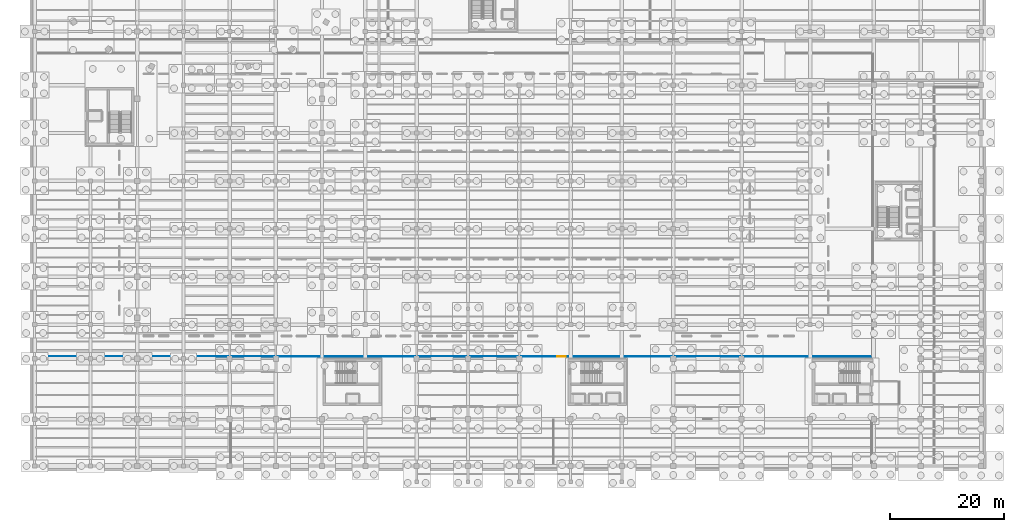
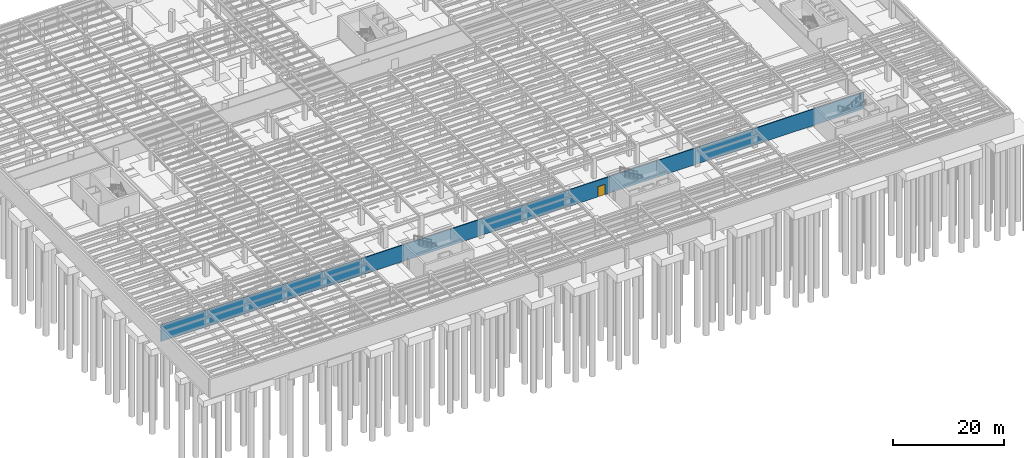
# One storey, part 34 of 49: 1 door, 1 wall, 1 opening.
"""IFC4 building model written with IfcOpenShell, lengths in metres."""

import ifcopenshell
import ifcopenshell.guid

model = None  # the IFC model being written
_history = None  # IfcOwnerHistory: only IFC2X3 demands one
_inside = {}  # id of a spatial element -> (the spatial element, [elements in it])
_under = {}  # id of a project, library or spatial element -> (it, [spatial elements below it])
_declared = {}  # id of a project -> (the project, [libraries it declares])
_typed = {}  # id of a type object -> (the type object, [elements of that type])
_made_of = {}  # id of a material, layer set ... -> (it, [elements and type objects made of it])


def new_model(schema):
    """Start an empty IFC model of exactly this schema.

    Asked for "IFC4X3", IfcOpenShell would pick the latest addendum, in which some entities
    have other attributes; the version numbers below select the first issue.
    IFC2X3 requires an IfcOwnerHistory on every rooted entity: one is made here for all.
    """
    global model, _history
    if schema == "IFC4X3":
        model = ifcopenshell.file(schema_version=(4, 3, 0, 0))
    else:
        model = ifcopenshell.file(schema=schema)
    _inside.clear()
    _under.clear()
    _declared.clear()
    _typed.clear()
    _made_of.clear()
    _history = None
    if model.schema == "IFC2X3":
        org = make("IfcOrganization", Name="unknown")
        user = make(
            "IfcPersonAndOrganization",
            ThePerson=make("IfcPerson", FamilyName="unknown"),
            TheOrganization=org,
        )
        app = make(
            "IfcApplication",
            ApplicationDeveloper=org,
            Version="unknown",
            ApplicationFullName="unknown",
            ApplicationIdentifier="unknown",
        )
        _history = make(
            "IfcOwnerHistory",
            OwningUser=user,
            OwningApplication=app,
            ChangeAction="ADDED",
            CreationDate=0,
        )
    return model


def make(cls, **values):
    """One entity of the class cls with the attributes given. An attribute that is None is left unset."""
    return model.create_entity(
        cls, **{name: value for name, value in values.items() if value is not None}
    )


def rooted(cls, **values):
    """An entity with a GlobalId (a new one), such as an element, a storey or a relation."""
    return make(cls, GlobalId=ifcopenshell.guid.new(), OwnerHistory=_history, **values)


def si_unit(unit_type, name, prefix=None):
    """IfcSIUnit, for example si_unit("LENGTHUNIT", "METRE", prefix="MILLI")."""
    return make("IfcSIUnit", UnitType=unit_type, Prefix=prefix, Name=name)


def assignment(units):
    """IfcUnitAssignment: the units of a project."""
    return None if units is None else make("IfcUnitAssignment", Units=units)


def point(xyz):
    """IfcCartesianPoint."""
    return None if xyz is None else make("IfcCartesianPoint", Coordinates=xyz)


def direction(xyz):
    """IfcDirection."""
    return None if xyz is None else make("IfcDirection", DirectionRatios=xyz)


def frame(location, z_axis=None, x_axis=None):
    """IfcAxis2Placement3D, a coordinate frame: its origin and axes. An axis left out is left unset."""
    return make(
        "IfcAxis2Placement3D",
        Location=point(location),
        Axis=direction(z_axis),
        RefDirection=direction(x_axis),
    )


def frame_2d(location, x_axis=None):
    """IfcAxis2Placement2D, a coordinate frame in the plane: its origin and x axis."""
    return make(
        "IfcAxis2Placement2D", Location=point(location), RefDirection=direction(x_axis)
    )


def origin():
    """The frame at (0, 0, 0) with its axes left unset."""
    return frame((0.0, 0.0, 0.0))


def place(relative_to, where):
    """IfcLocalPlacement: puts the frame where relative to a parent placement (None: the world)."""
    return make(
        "IfcLocalPlacement", PlacementRelTo=relative_to, RelativePlacement=where
    )


def context(
    kind, dimensions, precision=None, world=None, true_north=None, identifier=None
):
    """IfcGeometricRepresentationContext, for example the 3D "Model" context."""
    return make(
        "IfcGeometricRepresentationContext",
        ContextIdentifier=identifier,
        ContextType=kind,
        CoordinateSpaceDimension=dimensions,
        Precision=precision,
        WorldCoordinateSystem=world,
        TrueNorth=true_north,
    )


def subcontext(parent, identifier, kind, view, scale=None):
    """IfcGeometricRepresentationSubContext, for example "Body" below "Model"."""
    return make(
        "IfcGeometricRepresentationSubContext",
        ContextIdentifier=identifier,
        ContextType=kind,
        ParentContext=parent,
        TargetScale=scale,
        TargetView=view,
    )


def project(units=None, contexts=None):
    """IfcProject with its units and contexts."""
    return rooted(
        "IfcProject",
        Name="project",
        RepresentationContexts=contexts,
        UnitsInContext=assignment(units),
    )


def spatial(cls, under=None, at=None, **own):
    """A site, building, storey or space (cls), placed at a placement, below another one or the project."""
    s = rooted(cls, ObjectPlacement=at, **own)
    if under is not None:
        _under.setdefault(under.id(), (under, []))[1].append(s)
    return s


def profile(cls, at=None, kind="AREA", **sizes):
    """A parametric profile (cls). Its sizes go by their IFC names, for example OverallWidth=200.0."""
    return make(cls, ProfileType=kind, Position=at, **sizes)


def rectangle(**sizes):
    """IfcRectangleProfileDef."""
    return profile("IfcRectangleProfileDef", **sizes)


def extrude(swept, where, along, depth):
    """IfcExtrudedAreaSolid: the profile swept, set in the frame where, extruded along a direction by depth."""
    return make(
        "IfcExtrudedAreaSolid",
        SweptArea=swept,
        Position=where,
        ExtrudedDirection=direction(along),
        Depth=depth,
    )


def shape(context_of_items, identifier, shape_type, items):
    """IfcShapeRepresentation: the items that make up one representation, for example the "Body"."""
    return make(
        "IfcShapeRepresentation",
        ContextOfItems=context_of_items,
        RepresentationIdentifier=identifier,
        RepresentationType=shape_type,
        Items=items,
    )


def material(Name=None, Category=None):
    """IfcMaterial."""
    return make("IfcMaterial", Name=Name, Category=Category)


def layer(
    of_material, thickness, ventilated=None, Name=None, Category=None, Priority=None
):
    """IfcMaterialLayer: one layer of a wall or slab, of a material (None: an air gap)."""
    return make(
        "IfcMaterialLayer",
        Material=of_material,
        LayerThickness=thickness,
        IsVentilated=ventilated,
        Name=Name,
        Category=Category,
        Priority=Priority,
    )


def layer_set(layers, Name=None):
    """IfcMaterialLayerSet."""
    return make("IfcMaterialLayerSet", MaterialLayers=layers, LayerSetName=Name)


def made_of(thing, what):
    """Note that an element or type object is made of a material, layer set ...; save() writes the relation."""
    if what is not None:
        _made_of.setdefault(what.id(), (what, []))[1].append(thing)
    return thing


def type_object(cls, material=None, **own):
    """A type object (cls), such as IfcWallType, which elements share."""
    return made_of(rooted(cls, **own), material)


def element(
    cls,
    number,
    at=None,
    inside=None,
    cuts=None,
    type_object=None,
    material=None,
    context=None,
    identifier="Body",
    shape_type=None,
    held_by="IfcProductDefinitionShape",
    body=None,
    shapes=None,
    **own,
):
    """One element of the class cls, such as IfcWall. Its Tag is "e" and its number.

    at: its placement. inside: the storey or other place that contains it. cuts: it is an
    opening in that element (IfcRelVoidsElement). A single representation is given by context,
    identifier, shape_type and body (its items); several are given by shapes. held_by: the class
    of the entity that holds the representations. save() writes the other relations.
    """
    e = rooted(cls, Tag="e%d" % number, ObjectPlacement=at, **own)
    if body is not None:
        shapes = [shape(context, identifier, shape_type, body)]
    if shapes is not None:
        e.Representation = make(held_by, Representations=shapes)
    if inside is not None:
        _inside.setdefault(inside.id(), (inside, []))[1].append(e)
    if cuts is not None:
        rooted(
            "IfcRelVoidsElement", RelatingBuildingElement=cuts, RelatedOpeningElement=e
        )
    if type_object is not None:
        _typed.setdefault(type_object.id(), (type_object, []))[1].append(e)
    return made_of(e, material)


def fill(opening, filler):
    """IfcRelFillsElement: the door or window that sits in an opening."""
    return rooted(
        "IfcRelFillsElement",
        RelatingOpeningElement=opening,
        RelatedBuildingElement=filler,
    )


def aggregate(whole, parts):
    """IfcRelAggregates: a whole, such as a stair, and the parts it consists of."""
    return rooted("IfcRelAggregates", RelatingObject=whole, RelatedObjects=parts)


def save(model, path):
    """Write the relations noted so far, then the file.

    IfcRelAggregates (storeys below a building ...), IfcRelContainedInSpatialStructure (elements
    in a storey), IfcRelDefinesByType, IfcRelAssociatesMaterial and IfcRelDeclares: one each for
    every whole, place, type object, material and project.
    """
    for whole, parts in _under.values():
        aggregate(whole, parts)
    for where, things in _inside.values():
        rooted(
            "IfcRelContainedInSpatialStructure",
            RelatedElements=things,
            RelatingStructure=where,
        )
    for kind, things in _typed.values():
        rooted("IfcRelDefinesByType", RelatedObjects=things, RelatingType=kind)
    for what, things in _made_of.values():
        rooted("IfcRelAssociatesMaterial", RelatedObjects=things, RelatingMaterial=what)
    for by, libraries in _declared.values():
        rooted("IfcRelDeclares", RelatingContext=by, RelatedDefinitions=libraries)
    model.write(path)


model = new_model("IFC4")

# Units and contexts
model_context = context("Model", 3, precision=1e-05, world=origin(), true_north=direction((0.0, 1.0)))
body_context = subcontext(model_context, "Body", "Model", "MODEL_VIEW")
ifc_project = project(units=[si_unit("LENGTHUNIT", "METRE"), si_unit("AREAUNIT", "SQUARE_METRE"), si_unit("VOLUMEUNIT", "CUBIC_METRE"), si_unit("PLANEANGLEUNIT", "RADIAN"), si_unit("MASSUNIT", "GRAM", prefix="KILO")], contexts=[model_context])

# Site, building, storey
site_placement = place(None, origin())
site = spatial("IfcSite", under=ifc_project, at=site_placement, CompositionType="ELEMENT")
building_placement = place(site_placement, origin())
building = spatial("IfcBuilding", under=site, at=building_placement, Name="Sollismere Congress Hotel", CompositionType="ELEMENT")
storey_placement = place(building_placement, frame((0.0, 0.0, -4.5)))
storey = spatial("IfcBuildingStorey", under=building, at=storey_placement, Name="B1", CompositionType="ELEMENT", Elevation=-4.5)

# Wall, opening, door
ifc_material_1 = material(Name="Fire-Rated Acoustic Gypsum Partition")
ifc_layer = layer(ifc_material_1, 0.1650390625, Name="Fire-Rated Acoustic Gypsum Partition")
ifc_layer_set = layer_set([ifc_layer], Name="Fire-Rated Acoustic Gypsum Partition")
wall_type = type_object("IfcWallType", Name="WL-PRT165R", PredefinedType="PARTITIONING", material=ifc_layer_set)
wall_placement = place(storey_placement, frame((0.5, 19.199951171875, 0.0), z_axis=(0.0, 0.0, 1.0), x_axis=(1.0, 0.0, 0.0)))
wall = element("IfcWall", 1, at=wall_placement, inside=storey, type_object=wall_type, Name="Interior wall IW-B1-0758", PredefinedType="PARTITIONING", context=body_context, shape_type="SweptSolid", body=[
    extrude(rectangle(XDim=146.5, YDim=0.1650390625, at=frame_2d((73.25, 0.0))), origin(), (0.0, 0.0, 1.0), 3.64892578125),
])
opening_placement = place(wall_placement, frame((91.14990234375, 0.0, 0.0)))
opening = element("IfcOpeningElement", 2, at=opening_placement, cuts=wall, Name="Opening D-B1-0250", PredefinedType="OPENING", context=body_context, shape_type="SweptSolid", body=[
    extrude(rectangle(XDim=1.5, YDim=2.25, at=frame_2d((0.75, 1.125))), frame((0.0, 0.092529296875, 0.0), z_axis=(0.0, -1.0, 0.0), x_axis=(1.0, 0.0, 0.0)), (0.0, 0.0, 1.0), 0.18505859375),
])
ifc_material_2 = material(Name="Fire-Rated Double Plant Room Door")
door_type = type_object("IfcDoorType", Name="DR-PL150", OperationType="NOTDEFINED", PredefinedType="DOOR", material=ifc_material_2)
door_placement = place(opening_placement, origin())
door = element("IfcDoor", 3, at=door_placement, inside=storey, type_object=door_type, Name="Interior door D-B1-0250", OperationType="DOUBLE_DOOR_SINGLE_SWING", OverallHeight=2.25, OverallWidth=1.5, PredefinedType="DOOR", context=body_context, shape_type="SweptSolid", body=[
    extrude(rectangle(XDim=1.5, YDim=2.25, at=frame_2d((0.75, 1.125))), frame((0.0, 0.02490234375, 0.0), z_axis=(0.0, -1.0, 0.0), x_axis=(1.0, 0.0, 0.0)), (0.0, 0.0, 1.0), 0.050048828125),
])
fill(opening, door)

save(model, "model.ifc")
